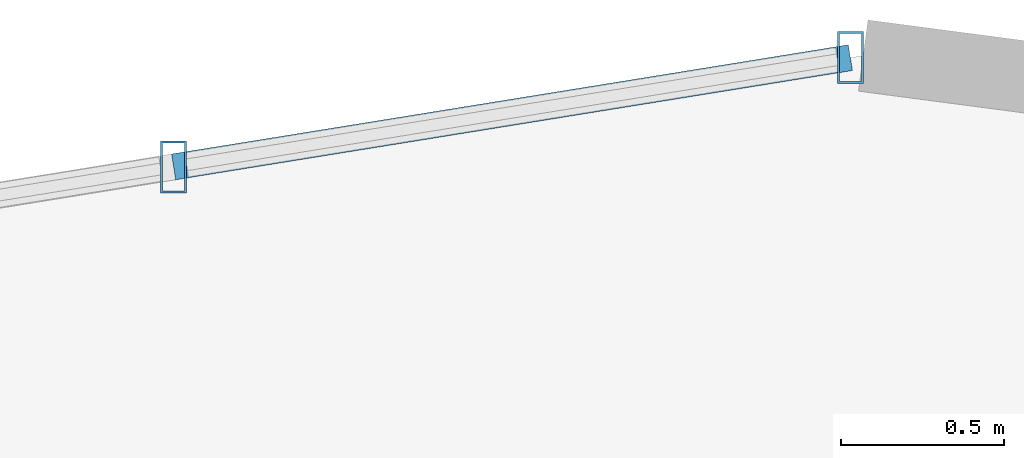
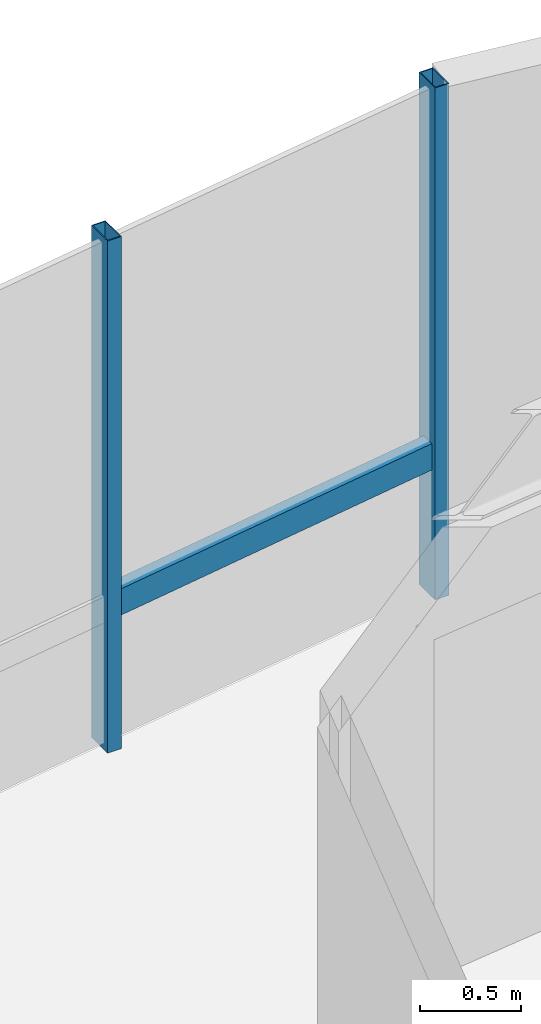
# One storey, part 16 of 22: 3 members, 1 element without a shape of its own.
"""IFC4 building model written with IfcOpenShell, lengths in metres."""

import ifcopenshell
import ifcopenshell.guid

model = None  # the IFC model being written
_history = None  # IfcOwnerHistory: only IFC2X3 demands one
_inside = {}  # id of a spatial element -> (the spatial element, [elements in it])
_under = {}  # id of a project, library or spatial element -> (it, [spatial elements below it])
_declared = {}  # id of a project -> (the project, [libraries it declares])
_typed = {}  # id of a type object -> (the type object, [elements of that type])
_made_of = {}  # id of a material, layer set ... -> (it, [elements and type objects made of it])


def new_model(schema):
    """Start an empty IFC model of exactly this schema.

    Asked for "IFC4X3", IfcOpenShell would pick the latest addendum, in which some entities
    have other attributes; the version numbers below select the first issue.
    IFC2X3 requires an IfcOwnerHistory on every rooted entity: one is made here for all.
    """
    global model, _history
    if schema == "IFC4X3":
        model = ifcopenshell.file(schema_version=(4, 3, 0, 0))
    else:
        model = ifcopenshell.file(schema=schema)
    _inside.clear()
    _under.clear()
    _declared.clear()
    _typed.clear()
    _made_of.clear()
    _history = None
    if model.schema == "IFC2X3":
        org = make("IfcOrganization", Name="unknown")
        user = make(
            "IfcPersonAndOrganization",
            ThePerson=make("IfcPerson", FamilyName="unknown"),
            TheOrganization=org,
        )
        app = make(
            "IfcApplication",
            ApplicationDeveloper=org,
            Version="unknown",
            ApplicationFullName="unknown",
            ApplicationIdentifier="unknown",
        )
        _history = make(
            "IfcOwnerHistory",
            OwningUser=user,
            OwningApplication=app,
            ChangeAction="ADDED",
            CreationDate=0,
        )
    return model


def make(cls, **values):
    """One entity of the class cls with the attributes given. An attribute that is None is left unset."""
    return model.create_entity(
        cls, **{name: value for name, value in values.items() if value is not None}
    )


def rooted(cls, **values):
    """An entity with a GlobalId (a new one), such as an element, a storey or a relation."""
    return make(cls, GlobalId=ifcopenshell.guid.new(), OwnerHistory=_history, **values)


def si_unit(unit_type, name, prefix=None):
    """IfcSIUnit, for example si_unit("LENGTHUNIT", "METRE", prefix="MILLI")."""
    return make("IfcSIUnit", UnitType=unit_type, Prefix=prefix, Name=name)


def assignment(units):
    """IfcUnitAssignment: the units of a project."""
    return None if units is None else make("IfcUnitAssignment", Units=units)


def point(xyz):
    """IfcCartesianPoint."""
    return None if xyz is None else make("IfcCartesianPoint", Coordinates=xyz)


def direction(xyz):
    """IfcDirection."""
    return None if xyz is None else make("IfcDirection", DirectionRatios=xyz)


def frame(location, z_axis=None, x_axis=None):
    """IfcAxis2Placement3D, a coordinate frame: its origin and axes. An axis left out is left unset."""
    return make(
        "IfcAxis2Placement3D",
        Location=point(location),
        Axis=direction(z_axis),
        RefDirection=direction(x_axis),
    )


def frame_2d(location, x_axis=None):
    """IfcAxis2Placement2D, a coordinate frame in the plane: its origin and x axis."""
    return make(
        "IfcAxis2Placement2D", Location=point(location), RefDirection=direction(x_axis)
    )


def origin():
    """The frame at (0, 0, 0) with its axes left unset."""
    return frame((0.0, 0.0, 0.0))


def origin_2d():
    """The frame at (0, 0) in the plane with its x axis left unset."""
    return frame_2d((0.0, 0.0))


def place(relative_to, where):
    """IfcLocalPlacement: puts the frame where relative to a parent placement (None: the world)."""
    return make(
        "IfcLocalPlacement", PlacementRelTo=relative_to, RelativePlacement=where
    )


def context(
    kind, dimensions, precision=None, world=None, true_north=None, identifier=None
):
    """IfcGeometricRepresentationContext, for example the 3D "Model" context."""
    return make(
        "IfcGeometricRepresentationContext",
        ContextIdentifier=identifier,
        ContextType=kind,
        CoordinateSpaceDimension=dimensions,
        Precision=precision,
        WorldCoordinateSystem=world,
        TrueNorth=true_north,
    )


def subcontext(parent, identifier, kind, view, scale=None):
    """IfcGeometricRepresentationSubContext, for example "Body" below "Model"."""
    return make(
        "IfcGeometricRepresentationSubContext",
        ContextIdentifier=identifier,
        ContextType=kind,
        ParentContext=parent,
        TargetScale=scale,
        TargetView=view,
    )


def project(units=None, contexts=None):
    """IfcProject with its units and contexts."""
    return rooted(
        "IfcProject",
        Name="project",
        RepresentationContexts=contexts,
        UnitsInContext=assignment(units),
    )


def spatial(cls, under=None, at=None, **own):
    """A site, building, storey or space (cls), placed at a placement, below another one or the project."""
    s = rooted(cls, ObjectPlacement=at, **own)
    if under is not None:
        _under.setdefault(under.id(), (under, []))[1].append(s)
    return s


def profile(cls, at=None, kind="AREA", **sizes):
    """A parametric profile (cls). Its sizes go by their IFC names, for example OverallWidth=200.0."""
    return make(cls, ProfileType=kind, Position=at, **sizes)


def hollow_rectangle(**sizes):
    """IfcRectangleHollowProfileDef."""
    return profile("IfcRectangleHollowProfileDef", **sizes)


def extrude(swept, where, along, depth):
    """IfcExtrudedAreaSolid: the profile swept, set in the frame where, extruded along a direction by depth."""
    return make(
        "IfcExtrudedAreaSolid",
        SweptArea=swept,
        Position=where,
        ExtrudedDirection=direction(along),
        Depth=depth,
    )


def shape(context_of_items, identifier, shape_type, items):
    """IfcShapeRepresentation: the items that make up one representation, for example the "Body"."""
    return make(
        "IfcShapeRepresentation",
        ContextOfItems=context_of_items,
        RepresentationIdentifier=identifier,
        RepresentationType=shape_type,
        Items=items,
    )


def source(mapping_origin, context_of_items, identifier, shape_type, items):
    """IfcRepresentationMap: a shape defined once, which mapped items show again and again."""
    return make(
        "IfcRepresentationMap",
        MappingOrigin=mapping_origin,
        MappedRepresentation=shape(context_of_items, identifier, shape_type, items),
    )


def transform(
    local_origin,
    x_axis=None,
    y_axis=None,
    z_axis=None,
    scale=None,
    scale2=None,
    scale3=None,
    uniform=True,
):
    """IfcCartesianTransformationOperator3D, or its non-uniform kind. x_axis, y_axis, z_axis: its Axis1, 2, 3."""
    if uniform:
        return make(
            "IfcCartesianTransformationOperator3D",
            Axis1=direction(x_axis),
            Axis2=direction(y_axis),
            LocalOrigin=point(local_origin),
            Scale=scale,
            Axis3=direction(z_axis),
        )
    return make(
        "IfcCartesianTransformationOperator3DnonUniform",
        Axis1=direction(x_axis),
        Axis2=direction(y_axis),
        LocalOrigin=point(local_origin),
        Scale=scale,
        Axis3=direction(z_axis),
        Scale2=scale2,
        Scale3=scale3,
    )


def mapped(mapping_source, mapping_target):
    """IfcMappedItem: shows the shape of a source again, moved by a transform."""
    return make(
        "IfcMappedItem", MappingSource=mapping_source, MappingTarget=mapping_target
    )


def material(Name=None, Category=None):
    """IfcMaterial."""
    return make("IfcMaterial", Name=Name, Category=Category)


def material_profile(
    of_material, cross_section, Name=None, Category=None, Priority=None
):
    """IfcMaterialProfile: a cross section and its material."""
    return make(
        "IfcMaterialProfile",
        Name=Name,
        Material=of_material,
        Profile=cross_section,
        Priority=Priority,
        Category=Category,
    )


def profile_set(profiles, Name=None, composite=None):
    """IfcMaterialProfileSet."""
    return make(
        "IfcMaterialProfileSet",
        Name=Name,
        MaterialProfiles=profiles,
        CompositeProfile=composite,
    )


def made_of(thing, what):
    """Note that an element or type object is made of a material, layer set ...; save() writes the relation."""
    if what is not None:
        _made_of.setdefault(what.id(), (what, []))[1].append(thing)
    return thing


def type_object(cls, material=None, **own):
    """A type object (cls), such as IfcWallType, which elements share."""
    return made_of(rooted(cls, **own), material)


def element(
    cls,
    number,
    at=None,
    inside=None,
    cuts=None,
    type_object=None,
    material=None,
    context=None,
    identifier="Body",
    shape_type=None,
    held_by="IfcProductDefinitionShape",
    body=None,
    shapes=None,
    **own,
):
    """One element of the class cls, such as IfcWall. Its Tag is "e" and its number.

    at: its placement. inside: the storey or other place that contains it. cuts: it is an
    opening in that element (IfcRelVoidsElement). A single representation is given by context,
    identifier, shape_type and body (its items); several are given by shapes. held_by: the class
    of the entity that holds the representations. save() writes the other relations.
    """
    e = rooted(cls, Tag="e%d" % number, ObjectPlacement=at, **own)
    if body is not None:
        shapes = [shape(context, identifier, shape_type, body)]
    if shapes is not None:
        e.Representation = make(held_by, Representations=shapes)
    if inside is not None:
        _inside.setdefault(inside.id(), (inside, []))[1].append(e)
    if cuts is not None:
        rooted(
            "IfcRelVoidsElement", RelatingBuildingElement=cuts, RelatedOpeningElement=e
        )
    if type_object is not None:
        _typed.setdefault(type_object.id(), (type_object, []))[1].append(e)
    return made_of(e, material)


def aggregate(whole, parts):
    """IfcRelAggregates: a whole, such as a stair, and the parts it consists of."""
    return rooted("IfcRelAggregates", RelatingObject=whole, RelatedObjects=parts)


def save(model, path):
    """Write the relations noted so far, then the file.

    IfcRelAggregates (storeys below a building ...), IfcRelContainedInSpatialStructure (elements
    in a storey), IfcRelDefinesByType, IfcRelAssociatesMaterial and IfcRelDeclares: one each for
    every whole, place, type object, material and project.
    """
    for whole, parts in _under.values():
        aggregate(whole, parts)
    for where, things in _inside.values():
        rooted(
            "IfcRelContainedInSpatialStructure",
            RelatedElements=things,
            RelatingStructure=where,
        )
    for kind, things in _typed.values():
        rooted("IfcRelDefinesByType", RelatedObjects=things, RelatingType=kind)
    for what, things in _made_of.values():
        rooted("IfcRelAssociatesMaterial", RelatedObjects=things, RelatingMaterial=what)
    for by, libraries in _declared.values():
        rooted("IfcRelDeclares", RelatingContext=by, RelatedDefinitions=libraries)
    model.write(path)


model = new_model("IFC4")

# Units and contexts
model_context = context("Model", 3, precision=1e-05, world=origin(), true_north=direction((0.0, 1.0)))
body_context = subcontext(model_context, "Body", "Model", "MODEL_VIEW")
ifc_project = project(units=[si_unit("LENGTHUNIT", "METRE"), si_unit("AREAUNIT", "SQUARE_METRE"), si_unit("VOLUMEUNIT", "CUBIC_METRE"), si_unit("PLANEANGLEUNIT", "RADIAN"), si_unit("MASSUNIT", "GRAM", prefix="KILO")], contexts=[model_context])

# Site, building, storey
site_placement = place(None, origin())
site = spatial("IfcSite", under=ifc_project, at=site_placement, CompositionType="ELEMENT")
building_placement = place(site_placement, origin())
building = spatial("IfcBuilding", under=site, at=building_placement, Name="Sahyath Konkavel Grand Hotel", CompositionType="ELEMENT")
storey_placement = place(building_placement, frame((0.0, 0.0, 234.449951171875)))
storey = spatial("IfcBuildingStorey", under=building, at=storey_placement, Name="L65", CompositionType="ELEMENT", Elevation=234.449951171875)

# Curtain wall, members
ifc_material_1 = material(Name="Anodised Bronze Aluminium & Low-E Glazing", Category="aluminium")
curtain_wall_type = type_object("IfcCurtainWallType", Name="CW-ZONE4", PredefinedType="NOTDEFINED", material=ifc_material_1)
curtain_wall_placement = place(storey_placement, origin())
curtain_wall = element("IfcCurtainWall", 1, at=curtain_wall_placement, inside=storey, type_object=curtain_wall_type, Name="L65 Unitised Curtain Wall F12", PredefinedType="NOTDEFINED")
ifc_material_2 = material(Name="Anodised Bronze Aluminium", Category="aluminium")
ifc_material_profile_1 = material_profile(ifc_material_2, hollow_rectangle(XDim=0.080078125, YDim=0.159912109375, WallThickness=0.006103515625, at=origin_2d()), Name="RHS 160x80x6")
ifc_profile_set_1 = profile_set([ifc_material_profile_1], Name="Anodised Bronze Aluminium")
member_type_1 = type_object("IfcMemberType", Name="CW-MUL-160", PredefinedType="MULLION", material=ifc_profile_set_1)
shared_shape_1 = source(origin(), body_context, "Body", "SweptSolid", [
    extrude(hollow_rectangle(XDim=0.080078125, YDim=0.159912109375, WallThickness=0.006103515625, at=origin_2d()), origin(), (0.0, 0.0, 1.0), 3.110107421875),
])
member_1_placement = place(storey_placement, frame((1.10546875, 20.249267578125, 0.0), z_axis=(0.0, 0.0, 1.0), x_axis=(1.0, 0.0, 0.0)))
member_1 = element("IfcMember", 2, at=member_1_placement, type_object=member_type_1, Name="L65 Curtain Wall Mullion F12-0", PredefinedType="MULLION", context=body_context, shape_type="MappedRepresentation", body=[
    mapped(shared_shape_1, transform((0.0, 0.0, 0.0), scale=1.0)),
])
member_2_placement = place(storey_placement, frame((-0.969482421875, 19.914306640625, 0.0), z_axis=(0.0, 0.0, 1.0), x_axis=(1.0, 0.0, 0.0)))
member_2 = element("IfcMember", 3, at=member_2_placement, type_object=member_type_1, Name="L65 Curtain Wall Mullion F12-1", PredefinedType="MULLION", context=body_context, shape_type="MappedRepresentation", body=[
    mapped(shared_shape_1, transform((0.0, 0.0, 0.0), scale=1.0)),
])
ifc_material_profile_2 = material_profile(ifc_material_2, hollow_rectangle(XDim=0.080078125, YDim=0.159912109375, WallThickness=0.006103515625, at=origin_2d()), Name="RHS 160x80x6")
ifc_profile_set_2 = profile_set([ifc_material_profile_2], Name="Anodised Bronze Aluminium")
member_type_2 = type_object("IfcMemberType", Name="CW-TRN-160", PredefinedType="USERDEFINED", material=ifc_profile_set_2)
shared_shape_2 = source(origin(), body_context, "Body", "SweptSolid", [
    extrude(hollow_rectangle(XDim=0.080078125, YDim=0.159912109375, WallThickness=0.006103515625, at=origin_2d()), origin(), (0.0, 0.0, 1.0), 2.101806640625),
])
member_3_placement = place(storey_placement, frame((1.10546875, 20.249267578125, 0.85009765625), z_axis=(-0.987219317281, -0.159367561279, 0.0), x_axis=(0.159367561279, -0.987219317281, 0.0)))
member_3 = element("IfcMember", 4, at=member_3_placement, type_object=member_type_2, Name="L65 Curtain Wall Transom F12-0-spandrel", ObjectType="TRANSOM", PredefinedType="USERDEFINED", context=body_context, shape_type="MappedRepresentation", body=[
    mapped(shared_shape_2, transform((0.0, 0.0, 0.0), scale=1.0)),
])
aggregate(curtain_wall, [member_1, member_2, member_3])

save(model, "model.ifc")
